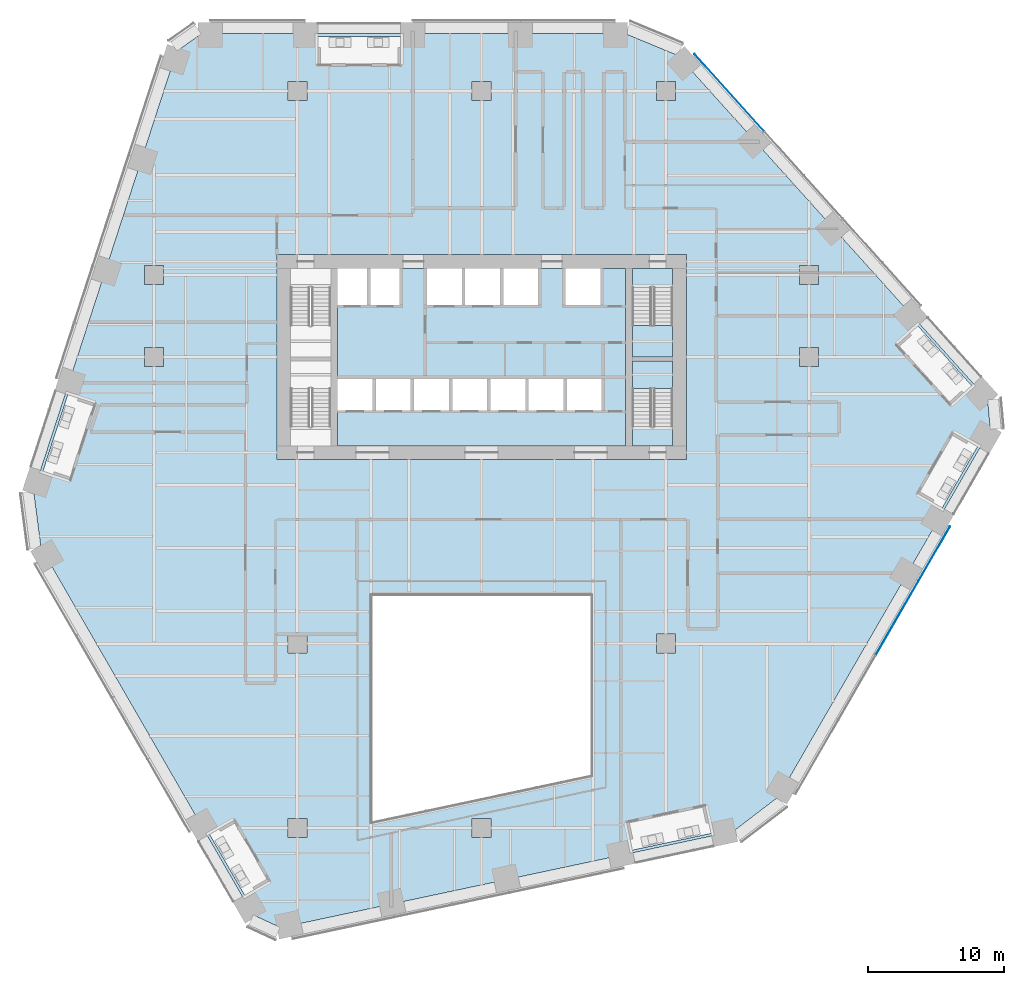
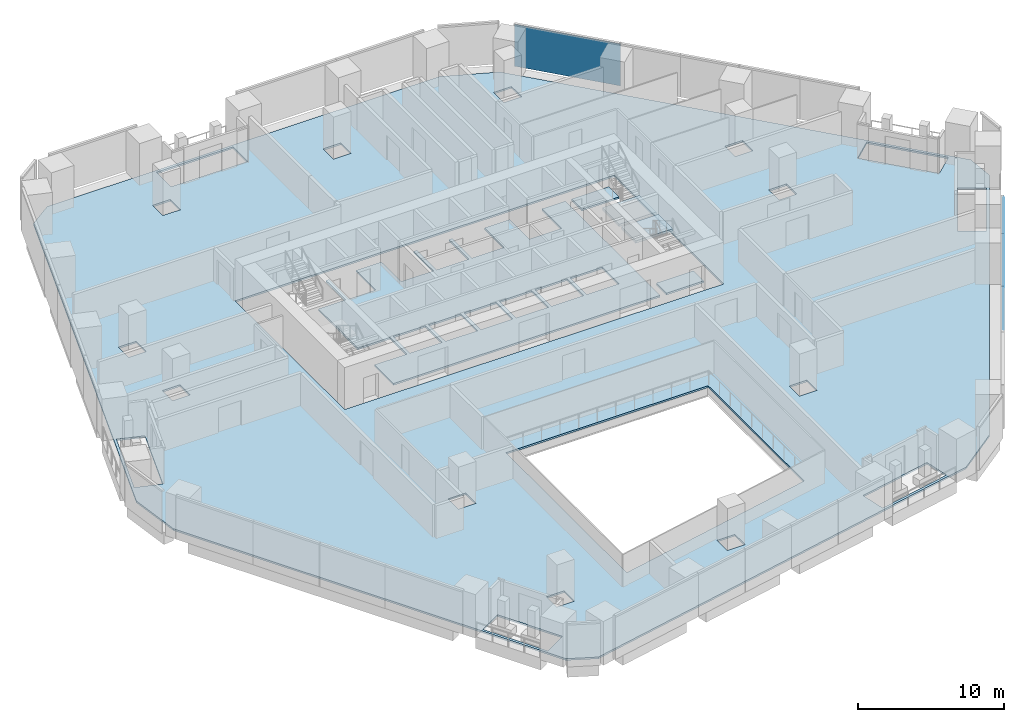
# One storey, part 20 of 31: 6 slabs, 3 plates, 4 elements without a shape of their own.
"""IFC4 building model written with IfcOpenShell, lengths in metres."""

import ifcopenshell
import ifcopenshell.guid

model = None  # the IFC model being written
_history = None  # IfcOwnerHistory: only IFC2X3 demands one
_inside = {}  # id of a spatial element -> (the spatial element, [elements in it])
_under = {}  # id of a project, library or spatial element -> (it, [spatial elements below it])
_declared = {}  # id of a project -> (the project, [libraries it declares])
_typed = {}  # id of a type object -> (the type object, [elements of that type])
_made_of = {}  # id of a material, layer set ... -> (it, [elements and type objects made of it])


def new_model(schema):
    """Start an empty IFC model of exactly this schema.

    Asked for "IFC4X3", IfcOpenShell would pick the latest addendum, in which some entities
    have other attributes; the version numbers below select the first issue.
    IFC2X3 requires an IfcOwnerHistory on every rooted entity: one is made here for all.
    """
    global model, _history
    if schema == "IFC4X3":
        model = ifcopenshell.file(schema_version=(4, 3, 0, 0))
    else:
        model = ifcopenshell.file(schema=schema)
    _inside.clear()
    _under.clear()
    _declared.clear()
    _typed.clear()
    _made_of.clear()
    _history = None
    if model.schema == "IFC2X3":
        org = make("IfcOrganization", Name="unknown")
        user = make(
            "IfcPersonAndOrganization",
            ThePerson=make("IfcPerson", FamilyName="unknown"),
            TheOrganization=org,
        )
        app = make(
            "IfcApplication",
            ApplicationDeveloper=org,
            Version="unknown",
            ApplicationFullName="unknown",
            ApplicationIdentifier="unknown",
        )
        _history = make(
            "IfcOwnerHistory",
            OwningUser=user,
            OwningApplication=app,
            ChangeAction="ADDED",
            CreationDate=0,
        )
    return model


def make(cls, **values):
    """One entity of the class cls with the attributes given. An attribute that is None is left unset."""
    return model.create_entity(
        cls, **{name: value for name, value in values.items() if value is not None}
    )


def rooted(cls, **values):
    """An entity with a GlobalId (a new one), such as an element, a storey or a relation."""
    return make(cls, GlobalId=ifcopenshell.guid.new(), OwnerHistory=_history, **values)


def si_unit(unit_type, name, prefix=None):
    """IfcSIUnit, for example si_unit("LENGTHUNIT", "METRE", prefix="MILLI")."""
    return make("IfcSIUnit", UnitType=unit_type, Prefix=prefix, Name=name)


def assignment(units):
    """IfcUnitAssignment: the units of a project."""
    return None if units is None else make("IfcUnitAssignment", Units=units)


def point(xyz):
    """IfcCartesianPoint."""
    return None if xyz is None else make("IfcCartesianPoint", Coordinates=xyz)


def direction(xyz):
    """IfcDirection."""
    return None if xyz is None else make("IfcDirection", DirectionRatios=xyz)


def frame(location, z_axis=None, x_axis=None):
    """IfcAxis2Placement3D, a coordinate frame: its origin and axes. An axis left out is left unset."""
    return make(
        "IfcAxis2Placement3D",
        Location=point(location),
        Axis=direction(z_axis),
        RefDirection=direction(x_axis),
    )


def frame_2d(location, x_axis=None):
    """IfcAxis2Placement2D, a coordinate frame in the plane: its origin and x axis."""
    return make(
        "IfcAxis2Placement2D", Location=point(location), RefDirection=direction(x_axis)
    )


def origin():
    """The frame at (0, 0, 0) with its axes left unset."""
    return frame((0.0, 0.0, 0.0))


def origin_2d():
    """The frame at (0, 0) in the plane with its x axis left unset."""
    return frame_2d((0.0, 0.0))


def place(relative_to, where):
    """IfcLocalPlacement: puts the frame where relative to a parent placement (None: the world)."""
    return make(
        "IfcLocalPlacement", PlacementRelTo=relative_to, RelativePlacement=where
    )


def context(
    kind, dimensions, precision=None, world=None, true_north=None, identifier=None
):
    """IfcGeometricRepresentationContext, for example the 3D "Model" context."""
    return make(
        "IfcGeometricRepresentationContext",
        ContextIdentifier=identifier,
        ContextType=kind,
        CoordinateSpaceDimension=dimensions,
        Precision=precision,
        WorldCoordinateSystem=world,
        TrueNorth=true_north,
    )


def subcontext(parent, identifier, kind, view, scale=None):
    """IfcGeometricRepresentationSubContext, for example "Body" below "Model"."""
    return make(
        "IfcGeometricRepresentationSubContext",
        ContextIdentifier=identifier,
        ContextType=kind,
        ParentContext=parent,
        TargetScale=scale,
        TargetView=view,
    )


def project(units=None, contexts=None):
    """IfcProject with its units and contexts."""
    return rooted(
        "IfcProject",
        Name="project",
        RepresentationContexts=contexts,
        UnitsInContext=assignment(units),
    )


def spatial(cls, under=None, at=None, **own):
    """A site, building, storey or space (cls), placed at a placement, below another one or the project."""
    s = rooted(cls, ObjectPlacement=at, **own)
    if under is not None:
        _under.setdefault(under.id(), (under, []))[1].append(s)
    return s


def polyline(points):
    """IfcPolyline through the points."""
    return make("IfcPolyline", Points=[point(p) for p in points])


def profile(cls, at=None, kind="AREA", **sizes):
    """A parametric profile (cls). Its sizes go by their IFC names, for example OverallWidth=200.0."""
    return make(cls, ProfileType=kind, Position=at, **sizes)


def rectangle(**sizes):
    """IfcRectangleProfileDef."""
    return profile("IfcRectangleProfileDef", **sizes)


def outline(outer, holes=None, kind="AREA"):
    """IfcArbitraryClosedProfileDef: a profile drawn as a closed curve; with holes, ...WithVoids."""
    if holes is None:
        return make("IfcArbitraryClosedProfileDef", ProfileType=kind, OuterCurve=outer)
    return make(
        "IfcArbitraryProfileDefWithVoids",
        ProfileType=kind,
        OuterCurve=outer,
        InnerCurves=holes,
    )


def extrude(swept, where, along, depth):
    """IfcExtrudedAreaSolid: the profile swept, set in the frame where, extruded along a direction by depth."""
    return make(
        "IfcExtrudedAreaSolid",
        SweptArea=swept,
        Position=where,
        ExtrudedDirection=direction(along),
        Depth=depth,
    )


def shape(context_of_items, identifier, shape_type, items):
    """IfcShapeRepresentation: the items that make up one representation, for example the "Body"."""
    return make(
        "IfcShapeRepresentation",
        ContextOfItems=context_of_items,
        RepresentationIdentifier=identifier,
        RepresentationType=shape_type,
        Items=items,
    )


def material(Name=None, Category=None):
    """IfcMaterial."""
    return make("IfcMaterial", Name=Name, Category=Category)


def layer(
    of_material, thickness, ventilated=None, Name=None, Category=None, Priority=None
):
    """IfcMaterialLayer: one layer of a wall or slab, of a material (None: an air gap)."""
    return make(
        "IfcMaterialLayer",
        Material=of_material,
        LayerThickness=thickness,
        IsVentilated=ventilated,
        Name=Name,
        Category=Category,
        Priority=Priority,
    )


def layer_set(layers, Name=None):
    """IfcMaterialLayerSet."""
    return make("IfcMaterialLayerSet", MaterialLayers=layers, LayerSetName=Name)


def made_of(thing, what):
    """Note that an element or type object is made of a material, layer set ...; save() writes the relation."""
    if what is not None:
        _made_of.setdefault(what.id(), (what, []))[1].append(thing)
    return thing


def type_object(cls, material=None, **own):
    """A type object (cls), such as IfcWallType, which elements share."""
    return made_of(rooted(cls, **own), material)


def element(
    cls,
    number,
    at=None,
    inside=None,
    cuts=None,
    type_object=None,
    material=None,
    context=None,
    identifier="Body",
    shape_type=None,
    held_by="IfcProductDefinitionShape",
    body=None,
    shapes=None,
    **own,
):
    """One element of the class cls, such as IfcWall. Its Tag is "e" and its number.

    at: its placement. inside: the storey or other place that contains it. cuts: it is an
    opening in that element (IfcRelVoidsElement). A single representation is given by context,
    identifier, shape_type and body (its items); several are given by shapes. held_by: the class
    of the entity that holds the representations. save() writes the other relations.
    """
    e = rooted(cls, Tag="e%d" % number, ObjectPlacement=at, **own)
    if body is not None:
        shapes = [shape(context, identifier, shape_type, body)]
    if shapes is not None:
        e.Representation = make(held_by, Representations=shapes)
    if inside is not None:
        _inside.setdefault(inside.id(), (inside, []))[1].append(e)
    if cuts is not None:
        rooted(
            "IfcRelVoidsElement", RelatingBuildingElement=cuts, RelatedOpeningElement=e
        )
    if type_object is not None:
        _typed.setdefault(type_object.id(), (type_object, []))[1].append(e)
    return made_of(e, material)


def aggregate(whole, parts):
    """IfcRelAggregates: a whole, such as a stair, and the parts it consists of."""
    return rooted("IfcRelAggregates", RelatingObject=whole, RelatedObjects=parts)


def save(model, path):
    """Write the relations noted so far, then the file.

    IfcRelAggregates (storeys below a building ...), IfcRelContainedInSpatialStructure (elements
    in a storey), IfcRelDefinesByType, IfcRelAssociatesMaterial and IfcRelDeclares: one each for
    every whole, place, type object, material and project.
    """
    for whole, parts in _under.values():
        aggregate(whole, parts)
    for where, things in _inside.values():
        rooted(
            "IfcRelContainedInSpatialStructure",
            RelatedElements=things,
            RelatingStructure=where,
        )
    for kind, things in _typed.values():
        rooted("IfcRelDefinesByType", RelatedObjects=things, RelatingType=kind)
    for what, things in _made_of.values():
        rooted("IfcRelAssociatesMaterial", RelatedObjects=things, RelatingMaterial=what)
    for by, libraries in _declared.values():
        rooted("IfcRelDeclares", RelatingContext=by, RelatedDefinitions=libraries)
    model.write(path)


model = new_model("IFC4")

# Units and contexts
model_context = context("Model", 3, precision=1e-05, world=origin(), true_north=direction((0.0, 1.0)))
body_context = subcontext(model_context, "Body", "Model", "MODEL_VIEW")
ifc_project = project(units=[si_unit("LENGTHUNIT", "METRE"), si_unit("AREAUNIT", "SQUARE_METRE"), si_unit("VOLUMEUNIT", "CUBIC_METRE"), si_unit("PLANEANGLEUNIT", "RADIAN"), si_unit("MASSUNIT", "GRAM", prefix="KILO")], contexts=[model_context])

# Site, building, storey
site_placement = place(None, origin())
site = spatial("IfcSite", under=ifc_project, at=site_placement, CompositionType="ELEMENT")
building_placement = place(site_placement, origin())
building = spatial("IfcBuilding", under=site, at=building_placement, Name="Isthmus Gate Tower", CompositionType="ELEMENT")
storey_placement = place(building_placement, frame((0.0, 0.0, 54.25)))
storey = spatial("IfcBuildingStorey", under=building, at=storey_placement, Name="L11", CompositionType="ELEMENT", Elevation=54.25)

# Slabs
ifc_material_1 = material(Name="Concrete f'c 40 MPa", Category="concrete")
ifc_layer_1 = layer(ifc_material_1, 0.14990234375)
ifc_layer_set_1 = layer_set([ifc_layer_1], Name="COMPOSITE FLOOR SLAB 150")
slab_type_1 = type_object("IfcSlabType", Name="COMPOSITE FLOOR SLAB 150", PredefinedType="FLOOR", material=ifc_layer_set_1)
slab_1_placement = place(storey_placement, frame((0.0, 0.0, -0.14990234375)))
element("IfcSlab", 1, at=slab_1_placement, inside=storey, type_object=slab_type_1, Name="str-slab-L11-1", PredefinedType="FLOOR", context=body_context, shape_type="SweptSolid", body=[
    extrude(outline(polyline([(14.391357421875, 29.599365234375), (37.081787109375, 4.399169921875), (37.281494140625, 2.17333984375), (21.748779296875, -24.729736328125), (18.438232421875, -27.262939453125), (-14.73095703125, -34.313232421875), (-16.758544921875, -33.373291015625), (-32.291015625, -6.47021484375), (-32.82958984375, -2.33642578125), (-22.3505859375, 29.9140625), (-20.52294921875, 31.199951171875), (10.542236328125, 31.199951171875), (14.391357421875, 29.599365234375)]), holes=[polyline([(-17.358642578125, -31.933837890625), (-15.626708984375, -30.933837890625), (-18.198486328125, -26.4794921875), (-19.930419921875, -27.4794921875), (-17.358642578125, -31.933837890625)]), polyline([(-14.199951171875, -26.300048828125), (-14.199951171875, -27.699951171875), (-12.800048828125, -27.699951171875), (-12.800048828125, -26.300048828125), (-14.199951171875, -26.300048828125)]), polyline([(-0.699951171875, -26.300048828125), (-0.699951171875, -27.699951171875), (0.699951171875, -27.699951171875), (0.699951171875, -26.300048828125), (-0.699951171875, -26.300048828125)]), polyline([(8.0, -23.143310546875), (8.0, -10.0), (-8.0, -10.0), (-8.0, -26.544189453125), (8.0, -23.143310546875)]), polyline([(-14.199951171875, -12.800048828125), (-14.199951171875, -14.199951171875), (-12.800048828125, -14.199951171875), (-12.800048828125, -12.800048828125), (-14.199951171875, -12.800048828125)]), polyline([(-32.138916015625, -0.85791015625), (-30.23681640625, -1.47607421875), (-28.416748046875, 4.125), (-30.31884765625, 4.7431640625), (-32.138916015625, -0.85791015625)]), polyline([(-23.300048828125, 8.199951171875), (-24.699951171875, 8.199951171875), (-24.699951171875, 6.800048828125), (-23.300048828125, 6.800048828125), (-23.300048828125, 8.199951171875)]), polyline([(-23.300048828125, 12.800048828125), (-23.300048828125, 14.199951171875), (-24.699951171875, 14.199951171875), (-24.699951171875, 12.800048828125), (-23.300048828125, 12.800048828125)]), polyline([(-12.800048828125, 27.699951171875), (-14.199951171875, 27.699951171875), (-14.199951171875, 26.300048828125), (-12.800048828125, 26.300048828125), (-12.800048828125, 27.699951171875)]), polyline([(-12.006591796875, 31.0), (-12.006591796875, 29.0), (-5.937255859375, 29.0), (-5.937255859375, 31.0), (-12.006591796875, 31.0)]), polyline([(16.8125, -27.404052734375), (16.396484375, -25.44775390625), (10.635986328125, -26.672119140625), (11.0517578125, -28.62841796875), (16.8125, -27.404052734375)]), polyline([(14.199951171875, -12.800048828125), (12.800048828125, -12.800048828125), (12.800048828125, -14.199951171875), (14.199951171875, -14.199951171875), (14.199951171875, -12.800048828125)]), polyline([(33.75, -3.54296875), (36.3349609375, 0.933837890625), (34.602783203125, 1.933837890625), (32.01806640625, -2.54296875), (33.75, -3.54296875)]), polyline([(35.906982421875, 5.40478515625), (31.96630859375, 9.781494140625), (30.47998046875, 8.443115234375), (34.4208984375, 4.066650390625), (35.906982421875, 5.40478515625)]), polyline([(15.0, 15.0), (-15.0, 15.0), (-15.0, 0.0), (15.0, 0.0), (15.0, 15.0)]), polyline([(24.699951171875, 8.199951171875), (23.300048828125, 8.199951171875), (23.300048828125, 6.800048828125), (24.699951171875, 6.800048828125), (24.699951171875, 8.199951171875)]), polyline([(23.300048828125, 14.199951171875), (23.300048828125, 12.800048828125), (24.699951171875, 12.800048828125), (24.699951171875, 14.199951171875), (23.300048828125, 14.199951171875)]), polyline([(0.699951171875, 26.300048828125), (0.699951171875, 27.699951171875), (-0.699951171875, 27.699951171875), (-0.699951171875, 26.300048828125), (0.699951171875, 26.300048828125)]), polyline([(14.199951171875, 26.300048828125), (14.199951171875, 27.699951171875), (12.800048828125, 27.699951171875), (12.800048828125, 26.300048828125), (14.199951171875, 26.300048828125)])]), origin(), (0.0, 0.0, 1.0), 0.14990234375),
])
ifc_material_2 = material(Name="Concrete f'c 40 MPa", Category="concrete")
ifc_layer_2 = layer(ifc_material_2, 0.14990234375)
ifc_layer_set_2 = layer_set([ifc_layer_2], Name="CORE FLOOR SLAB 150")
slab_type_2 = type_object("IfcSlabType", Name="CORE FLOOR SLAB 150", PredefinedType="FLOOR", material=ifc_layer_set_2)
slab_2_placement = place(storey_placement, frame((0.0, 0.0, -0.14990234375)))
element("IfcSlab", 2, at=slab_2_placement, inside=storey, type_object=slab_type_2, Name="L11 core floor", PredefinedType="FLOOR", context=body_context, shape_type="SweptSolid", body=[
    extrude(outline(polyline([(10.550048828125, 14.0), (8.699951171875, 14.0), (8.699951171875, 11.300048828125), (6.14990234375, 11.300048828125), (6.14990234375, 14.0), (4.14990234375, 14.0), (4.14990234375, 11.300048828125), (1.60009765625, 11.300048828125), (1.60009765625, 14.0), (1.35009765625, 14.0), (1.35009765625, 11.300048828125), (-1.199951171875, 11.300048828125), (-1.199951171875, 14.0), (-1.449951171875, 14.0), (-1.449951171875, 11.300048828125), (-4.0, 11.300048828125), (-4.0, 14.0), (-6.0, 14.0), (-6.0, 11.300048828125), (-8.14990234375, 11.300048828125), (-8.14990234375, 14.0), (-8.39990234375, 14.0), (-8.39990234375, 11.300048828125), (-10.550048828125, 11.300048828125), (-10.550048828125, 5.89990234375), (-8.0, 5.89990234375), (-8.0, 3.60009765625), (-10.550048828125, 3.60009765625), (-10.550048828125, 1.0), (10.550048828125, 1.0), (10.550048828125, 14.0)]), holes=[polyline([(-5.199951171875, 5.89990234375), (-5.199951171875, 3.60009765625), (-7.75, 3.60009765625), (-7.75, 5.89990234375), (-5.199951171875, 5.89990234375)]), polyline([(-2.39990234375, 5.89990234375), (-2.39990234375, 3.60009765625), (-4.949951171875, 3.60009765625), (-4.949951171875, 5.89990234375), (-2.39990234375, 5.89990234375)]), polyline([(0.39990234375, 5.89990234375), (0.39990234375, 3.60009765625), (-2.14990234375, 3.60009765625), (-2.14990234375, 5.89990234375), (0.39990234375, 5.89990234375)]), polyline([(3.199951171875, 5.89990234375), (3.199951171875, 3.60009765625), (0.64990234375, 3.60009765625), (0.64990234375, 5.89990234375), (3.199951171875, 5.89990234375)]), polyline([(6.0, 5.89990234375), (6.0, 3.60009765625), (3.449951171875, 3.60009765625), (3.449951171875, 5.89990234375), (6.0, 5.89990234375)]), polyline([(8.800048828125, 5.89990234375), (8.800048828125, 3.60009765625), (6.25, 3.60009765625), (6.25, 5.89990234375), (8.800048828125, 5.89990234375)])]), origin(), (0.0, 0.0, 1.0), 0.14990234375),
])
slab_3_placement = place(storey_placement, frame((0.0, 0.0, -0.14990234375)))
element("IfcSlab", 3, at=slab_3_placement, inside=storey, type_object=slab_type_2, Name="L11 core floor", PredefinedType="FLOOR", context=body_context, shape_type="SweptSolid", body=[
    extrude(outline(polyline([(14.0, 1.0), (14.0, 2.402099609375), (11.050048828125, 2.402099609375), (11.050048828125, 1.0), (14.0, 1.0)])), origin(), (0.0, 0.0, 1.0), 0.14990234375),
])
slab_4_placement = place(storey_placement, frame((0.0, 0.0, -0.14990234375)))
element("IfcSlab", 4, at=slab_4_placement, inside=storey, type_object=slab_type_2, Name="L11 core floor", PredefinedType="FLOOR", context=body_context, shape_type="SweptSolid", body=[
    extrude(outline(polyline([(11.050048828125, 14.0), (11.050048828125, 12.597900390625), (14.0, 12.597900390625), (14.0, 14.0), (11.050048828125, 14.0)])), origin(), (0.0, 0.0, 1.0), 0.14990234375),
])

# Curtain wall, plates
ifc_material_3 = material(Name="Aluminium, pale champagne anodised", Category="aluminium")
ifc_layer_3 = layer(ifc_material_3, 0.199951171875)
ifc_layer_set_3 = layer_set([ifc_layer_3], Name="CW-1 UNITISED CURTAIN WALL 200 DEEP")
curtain_wall_type = type_object("IfcCurtainWallType", Name="CW-1 UNITISED CURTAIN WALL 200 DEEP", PredefinedType="NOTDEFINED", material=ifc_layer_set_3)
curtain_wall_1_placement = place(storey_placement, origin())
curtain_wall_1 = element("IfcCurtainWall", 5, at=curtain_wall_1_placement, inside=storey, type_object=curtain_wall_type, Name="CW-1 SE L11", PredefinedType="NOTDEFINED")
ifc_material_4 = material(Name="Laminated low-iron glass, pale blue tint", Category="glass")
ifc_layer_4 = layer(ifc_material_4, 0.0400390625)
ifc_layer_set_4 = layer_set([ifc_layer_4], Name="CW-1 CLEAR GLASS LITE 40")
plate_type = type_object("IfcPlateType", Name="CW-1 CLEAR GLASS LITE 40", PredefinedType="CURTAIN_PANEL", material=ifc_layer_set_4)
plate_1_placement = place(storey_placement, frame((30.4560546875, -11.608642578125, 0.0), z_axis=(0.0, 0.0, 1.0), x_axis=(0.5, 0.866025403784, 0.0)))
plate_1 = element("IfcPlate", 6, at=plate_1_placement, type_object=plate_type, Name="CW-1 glass lite", PredefinedType="CURTAIN_PANEL", context=body_context, shape_type="SweptSolid", body=[
    extrude(rectangle(XDim=6.278564453125, YDim=0.0400390625, at=origin_2d()), origin(), (0.0, 0.0, 1.0), 3.5),
])
plate_2_placement = place(storey_placement, frame((33.173828125, -6.901123046875, 0.0), z_axis=(0.0, 0.0, 1.0), x_axis=(0.5, 0.866025403784, 0.0)))
plate_2 = element("IfcPlate", 7, at=plate_2_placement, type_object=plate_type, Name="CW-1 glass lite", PredefinedType="CURTAIN_PANEL", context=body_context, shape_type="SweptSolid", body=[
    extrude(rectangle(XDim=4.5927734375, YDim=0.0400390625, at=origin_2d()), origin(), (0.0, 0.0, 1.0), 3.5),
])
aggregate(curtain_wall_1, [plate_1, plate_2])

# Curtain wall, plate
curtain_wall_2_placement = place(storey_placement, origin())
curtain_wall_2 = element("IfcCurtainWall", 8, at=curtain_wall_2_placement, inside=storey, type_object=curtain_wall_type, Name="CW-1 NE L11", PredefinedType="NOTDEFINED")
plate_3_placement = place(storey_placement, frame((18.153564453125, 26.885498046875, 0.0), z_axis=(0.0, 0.0, 1.0), x_axis=(-0.669130606359, 0.743144825477, 0.0)))
plate_3 = element("IfcPlate", 9, at=plate_3_placement, type_object=plate_type, Name="CW-1 glass lite", PredefinedType="CURTAIN_PANEL", context=body_context, shape_type="SweptSolid", body=[
    extrude(rectangle(XDim=7.62939453125, YDim=0.0400390625, at=origin_2d()), origin(), (0.0, 0.0, 1.0), 3.5),
])
aggregate(curtain_wall_2, [plate_3])

# Stair, slab
ifc_material_5 = material(Name="Concrete f'c 40 MPa", Category="concrete")
stair_type = type_object("IfcStairType", Name="CORE STAIR 22 RISERS", PredefinedType="HALF_TURN_STAIR", material=ifc_material_5)
stair_1_placement = place(storey_placement, origin())
stair_1 = element("IfcStair", 10, at=stair_1_placement, inside=storey, type_object=stair_type, Name="L11 Exit Stair 2", PredefinedType="HALF_TURN_STAIR")
ifc_material_6 = material(Name="Concrete f'c 40 MPa", Category="concrete")
ifc_layer_5 = layer(ifc_material_6, 0.199951171875)
ifc_layer_set_5 = layer_set([ifc_layer_5])
slab_type_3 = type_object("IfcSlabType", Name="STAIR LANDING RC 200", PredefinedType="LANDING", material=ifc_layer_set_5)
slab_5_placement = place(storey_placement, frame((0.0, 0.0, 1.625)))
slab_5 = element("IfcSlab", 11, at=slab_5_placement, type_object=slab_type_3, Name="ST2 landing 1", PredefinedType="LANDING", context=body_context, shape_type="SweptSolid", body=[
    extrude(outline(polyline([(11.050048828125, 9.800048828125), (11.050048828125, 7.5), (14.0, 7.5), (14.0, 9.800048828125), (11.050048828125, 9.800048828125)])), origin(), (0.0, 0.0, 1.0), 0.199951171875),
])
aggregate(stair_1, [slab_5])

stair_2_placement = place(storey_placement, origin())
stair_2 = element("IfcStair", 12, at=stair_2_placement, inside=storey, type_object=stair_type, Name="L11 Exit Stair 8", PredefinedType="HALF_TURN_STAIR")
slab_6_placement = place(storey_placement, frame((0.0, 0.0, 1.625)))
slab_6 = element("IfcSlab", 13, at=slab_6_placement, type_object=slab_type_3, Name="ST8 landing 1", PredefinedType="LANDING", context=body_context, shape_type="SweptSolid", body=[
    extrude(outline(polyline([(14.0, 5.199951171875), (14.0, 7.199951171875), (11.050048828125, 7.199951171875), (11.050048828125, 5.199951171875), (14.0, 5.199951171875)])), origin(), (0.0, 0.0, 1.0), 0.199951171875),
])
aggregate(stair_2, [slab_6])

save(model, "model.ifc")
